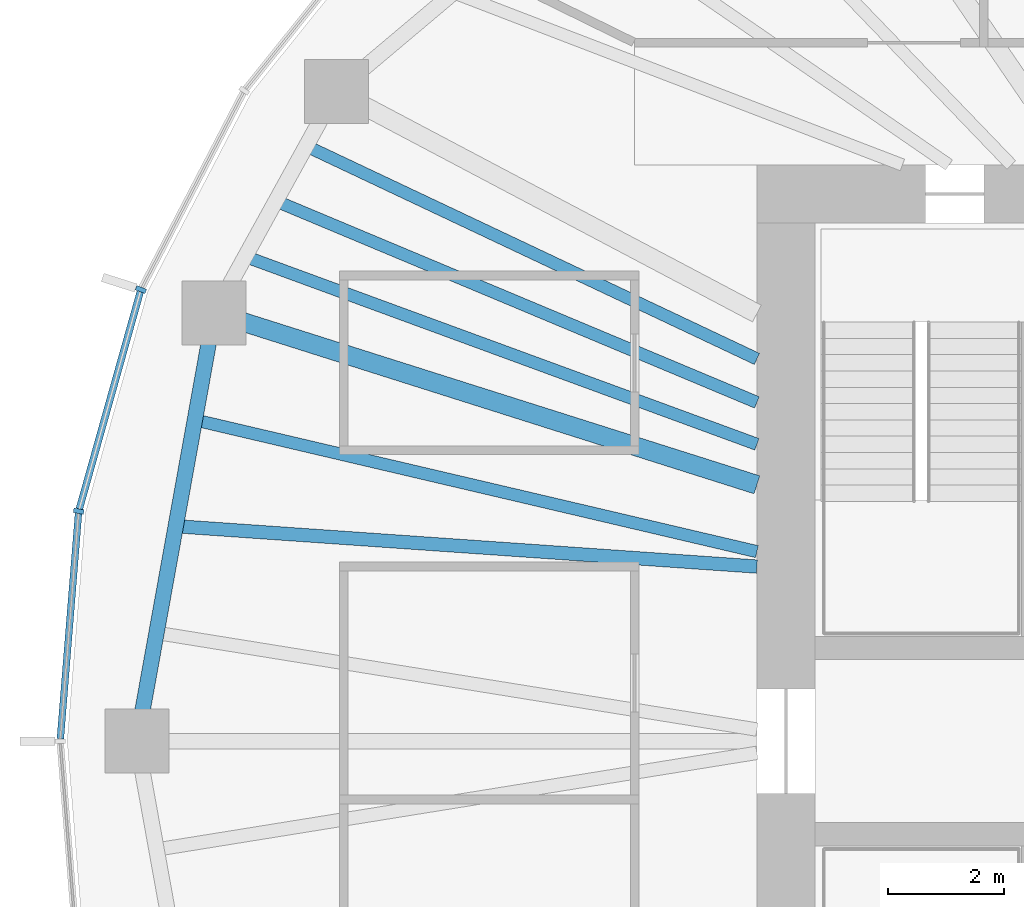
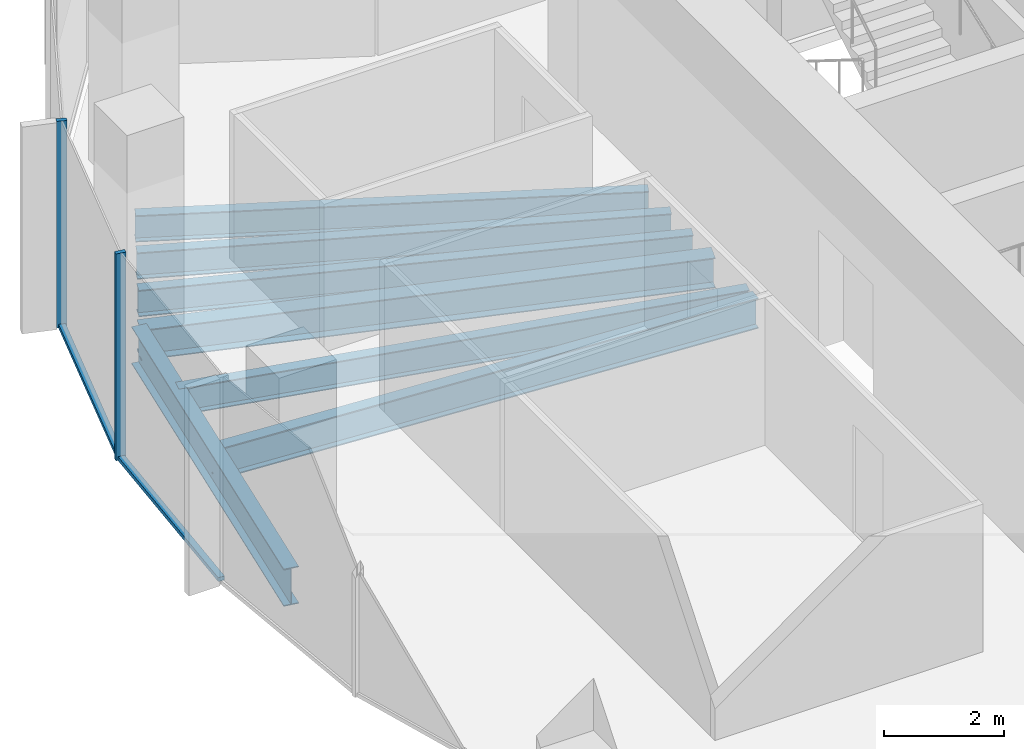
# One storey, part 3 of 11: 7 beams, 4 members, 1 element without a shape of its own.
"""IFC4 building model written with IfcOpenShell, lengths in metres."""

from ifc_helpers import new_model, si_unit, direction, frame, origin, origin_2d, place, context, subcontext, project, spatial, rectangle, i_section, extrude, material, material_profile, profile_set, type_object, element, aggregate, save


model = new_model("IFC4")

# Units and contexts
model_context = context("Model", 3, precision=1e-05, world=origin(), true_north=direction((0.0, 1.0)))
body_context = subcontext(model_context, "Body", "Model", "MODEL_VIEW")
ifc_project = project(units=[si_unit("LENGTHUNIT", "METRE"), si_unit("AREAUNIT", "SQUARE_METRE"), si_unit("VOLUMEUNIT", "CUBIC_METRE"), si_unit("PLANEANGLEUNIT", "RADIAN"), si_unit("MASSUNIT", "GRAM", prefix="KILO")], contexts=[model_context])

# Site, building, storey
site_placement = place(None, origin())
site = spatial("IfcSite", under=ifc_project, at=site_placement, CompositionType="ELEMENT")
building_placement = place(site_placement, origin())
building = spatial("IfcBuilding", under=site, at=building_placement, Name="Ghaith Harvest Tower", CompositionType="ELEMENT")
storey_placement = place(building_placement, frame((0.0, 0.0, 283.800048828125)))
storey = spatial("IfcBuildingStorey", under=building, at=storey_placement, Name="L63", CompositionType="ELEMENT", Elevation=283.800048828125)

# Curtain wall, members
ifc_material_1 = material(Name="Black anodised aluminium and fritted glass", Category="aluminium")
curtain_wall_type = type_object("IfcCurtainWallType", Name="CW-T CURTAIN WALL", PredefinedType="NOTDEFINED", material=ifc_material_1)
curtain_wall_placement = place(storey_placement, origin())
curtain_wall = element("IfcCurtainWall", 1, at=curtain_wall_placement, inside=storey, type_object=curtain_wall_type, Name="Curtain wall CW-T bay 10 L63", PredefinedType="NOTDEFINED")
ifc_material_2 = material(Name="Aluminium, black anodised", Category="aluminium")
ifc_material_profile_1 = material_profile(ifc_material_2, rectangle(XDim=0.080078125, YDim=0.179931640625, at=origin_2d()), Name="CW-T MULLION 80x180")
ifc_profile_set_1 = profile_set([ifc_material_profile_1], Name="Aluminium, black anodised")
member_type_1 = type_object("IfcMemberType", Name="CW-T MULLION 80x180", PredefinedType="MULLION", material=ifc_profile_set_1)
member_1_placement = place(storey_placement, frame((-24.482666015625, 7.759033203125, 0.0), z_axis=(0.0, 0.0, 1.0), x_axis=(-0.366473104961, -0.930428644948, 0.0)))
member_1 = element("IfcMember", 2, at=member_1_placement, type_object=member_type_1, Name="CW-T mullion 1 bay 10 L63", PredefinedType="MULLION", context=body_context, shape_type="SweptSolid", body=[
    extrude(rectangle(XDim=0.080078125, YDim=0.179931640625, at=origin_2d()), origin(), (0.0, 0.0, 1.0), 4.199951171875),
])
member_2_placement = place(storey_placement, frame((-25.5517578125, 3.9521484375, 0.0), z_axis=(0.0, 0.0, 1.0), x_axis=(-0.176001390642, -0.984389917915, 0.0)))
member_2 = element("IfcMember", 3, at=member_2_placement, type_object=member_type_1, Name="CW-T mullion 2 bay 10 L63", PredefinedType="MULLION", context=body_context, shape_type="SweptSolid", body=[
    extrude(rectangle(XDim=0.080078125, YDim=0.179931640625, at=origin_2d()), origin(), (0.0, 0.0, 1.0), 4.199951171875),
])
ifc_material_3 = material(Name="Aluminium, black anodised", Category="aluminium")
ifc_material_profile_2 = material_profile(ifc_material_3, rectangle(XDim=0.1201171875, YDim=0.080078125, at=origin_2d()), Name="CW-T TRANSOM 120x80")
ifc_profile_set_2 = profile_set([ifc_material_profile_2], Name="Aluminium, black anodised")
member_type_2 = type_object("IfcMemberType", Name="CW-T TRANSOM 120x80", PredefinedType="USERDEFINED", material=ifc_profile_set_2)
member_3_placement = place(storey_placement, frame((-24.49365234375, 7.720458984375, 0.0400390625), z_axis=(-0.270340422972, -0.962764797709, 0.0), x_axis=(0.962764797709, -0.270340422972, 0.0)))
member_3 = element("IfcMember", 4, at=member_3_placement, type_object=member_type_2, Name="CW-T transom 1 bay 10 L63", ObjectType="TRANSOM", PredefinedType="USERDEFINED", context=body_context, shape_type="SweptSolid", body=[
    extrude(rectangle(XDim=0.1201171875, YDim=0.080078125, at=origin_2d()), origin(), (0.0, 0.0, 1.0), 3.874267578125),
])
member_4_placement = place(storey_placement, frame((-25.554931640625, 3.912109375, 0.0400390625), z_axis=(-0.08025226314, -0.996774585481, 0.0), x_axis=(0.996774585481, -0.08025226314, 0.0)))
member_4 = element("IfcMember", 5, at=member_4_placement, type_object=member_type_2, Name="CW-T transom 2 bay 10 L63", ObjectType="TRANSOM", PredefinedType="USERDEFINED", context=body_context, shape_type="SweptSolid", body=[
    extrude(rectangle(XDim=0.1201171875, YDim=0.080078125, at=origin_2d()), origin(), (0.0, 0.0, 1.0), 3.884765625),
])
aggregate(curtain_wall, [member_1, member_3, member_2, member_4])

# Beams
ifc_material_4 = material(Name="Steel ASTM A992 Grade 50", Category="steel")
ifc_material_profile_3 = material_profile(ifc_material_4, i_section(OverallWidth=0.26611328125, OverallDepth=0.758056640625, WebThickness=0.013916015625, FlangeThickness=0.019287109375, at=origin_2d()), Name="W760X161")
ifc_profile_set_3 = profile_set([ifc_material_profile_3], Name="Steel ASTM A992 Grade 50")
beam_type_1 = type_object("IfcBeamType", Name="E760-161 W760X161", PredefinedType="SPANDREL", material=ifc_profile_set_3)
beam_1_placement = place(storey_placement, frame((-23.22412109375, 7.360107421875, -0.549072265625), z_axis=(-0.177296554745, -0.984157473007, 0.0), x_axis=(0.984157473007, -0.177296554745, 0.0)))
element("IfcBeam", 6, at=beam_1_placement, inside=storey, type_object=beam_type_1, Name="Edge beam E10 L63", PredefinedType="SPANDREL", context=body_context, shape_type="SweptSolid", body=[
    extrude(i_section(OverallWidth=0.26611328125, OverallDepth=0.758056640625, WebThickness=0.013916015625, FlangeThickness=0.019287109375, at=origin_2d()), origin(), (0.0, 0.0, 1.0), 7.478515625),
])
ifc_material_5 = material(Name="Steel ASTM A992 Grade 50", Category="steel")
ifc_material_profile_4 = material_profile(ifc_material_5, i_section(OverallWidth=0.323974609375, OverallDepth=0.611083984375, WebThickness=0.0126953125, FlangeThickness=0.01904296875, at=origin_2d()), Name="W610X155")
ifc_profile_set_4 = profile_set([ifc_material_profile_4], Name="Steel ASTM A992 Grade 50")
beam_type_2 = type_object("IfcBeamType", Name="G610-155 W610X155", PredefinedType="BEAM", material=ifc_profile_set_4)
beam_2_placement = place(storey_placement, frame((-13.89990234375, 4.4052734375, -0.4755859375), z_axis=(-0.953278508772, 0.302092841215, 0.0), x_axis=(-0.302092841215, -0.953278508772, 0.0)))
element("IfcBeam", 7, at=beam_2_placement, inside=storey, type_object=beam_type_2, Name="Radial girder G10 L63", PredefinedType="BEAM", context=body_context, shape_type="SweptSolid", body=[
    extrude(i_section(OverallWidth=0.323974609375, OverallDepth=0.611083984375, WebThickness=0.0126953125, FlangeThickness=0.01904296875, at=origin_2d()), origin(), (0.0, 0.0, 1.0), 9.78125),
])
ifc_material_6 = material(Name="Steel ASTM A992 Grade 50", Category="steel")
ifc_material_profile_5 = material_profile(ifc_material_6, i_section(OverallWidth=0.2109375, OverallDepth=0.5390625, WebThickness=0.01171875, FlangeThickness=0.018798828125, at=origin_2d()), Name="W530X109")
ifc_profile_set_5 = profile_set([ifc_material_profile_5], Name="Steel ASTM A992 Grade 50")
beam_type_3 = type_object("IfcBeamType", Name="J530-109 W530X109", PredefinedType="JOIST", material=ifc_profile_set_5)
beam_3_placement = place(storey_placement, frame((-13.89990234375, 6.56787109375, -0.439453125), z_axis=(-0.904165769726, 0.427181765594, 0.0), x_axis=(-0.427181765594, -0.904165769726, 0.0)))
element("IfcBeam", 8, at=beam_3_placement, inside=storey, type_object=beam_type_3, Name="Joist J09.1 L63", PredefinedType="JOIST", context=body_context, shape_type="SweptSolid", body=[
    extrude(i_section(OverallWidth=0.2109375, OverallDepth=0.5390625, WebThickness=0.01171875, FlangeThickness=0.018798828125, at=origin_2d()), origin(), (0.0, 0.0, 1.0), 8.564208984375),
])
beam_4_placement = place(storey_placement, frame((-13.89990234375, 5.82080078125, -0.439453125), z_axis=(-0.922394258818, 0.38624970071, 0.0), x_axis=(-0.38624970071, -0.922394258818, 0.0)))
element("IfcBeam", 9, at=beam_4_placement, inside=storey, type_object=beam_type_3, Name="Joist J09.2 L63", PredefinedType="JOIST", context=body_context, shape_type="SweptSolid", body=[
    extrude(i_section(OverallWidth=0.2109375, OverallDepth=0.5390625, WebThickness=0.01171875, FlangeThickness=0.018798828125, at=origin_2d()), origin(), (0.0, 0.0, 1.0), 8.959716796875),
])
beam_5_placement = place(storey_placement, frame((-13.89990234375, 5.101318359375, -0.439453125), z_axis=(-0.938776837502, 0.34452583266, 0.0), x_axis=(-0.34452583266, -0.938776837502, 0.0)))
element("IfcBeam", 10, at=beam_5_placement, inside=storey, type_object=beam_type_3, Name="Joist J09.3 L63", PredefinedType="JOIST", context=body_context, shape_type="SweptSolid", body=[
    extrude(i_section(OverallWidth=0.2109375, OverallDepth=0.5390625, WebThickness=0.01171875, FlangeThickness=0.018798828125, at=origin_2d()), origin(), (0.0, 0.0, 1.0), 9.36376953125),
])
beam_6_placement = place(storey_placement, frame((-13.89990234375, 3.257080078125, -0.439453125), z_axis=(-0.973623403271, 0.228161058472, 0.0), x_axis=(-0.228161058472, -0.973623403271, 0.0)))
element("IfcBeam", 11, at=beam_6_placement, inside=storey, type_object=beam_type_3, Name="Joist J10.1 L63", PredefinedType="JOIST", context=body_context, shape_type="SweptSolid", body=[
    extrude(i_section(OverallWidth=0.2109375, OverallDepth=0.5390625, WebThickness=0.01171875, FlangeThickness=0.018798828125, at=origin_2d()), origin(), (0.0, 0.0, 1.0), 9.9169921875),
])
ifc_material_7 = material(Name="Steel ASTM A992 Grade 50", Category="steel")
ifc_material_profile_6 = material_profile(ifc_material_7, i_section(OverallWidth=0.22998046875, OverallDepth=0.616943359375, WebThickness=0.01318359375, FlangeThickness=0.022216796875, at=origin_2d()), Name="W610X140")
ifc_profile_set_6 = profile_set([ifc_material_profile_6], Name="Steel ASTM A992 Grade 50")
beam_type_4 = type_object("IfcBeamType", Name="J610-140 W610X140", PredefinedType="JOIST", material=ifc_profile_set_6)
beam_7_placement = place(storey_placement, frame((-13.89990234375, 3.0, -0.478515625), z_axis=(-0.997592478057, 0.069348739886, 0.0), x_axis=(-0.069348739886, -0.997592478057, 0.0)))
element("IfcBeam", 12, at=beam_7_placement, inside=storey, type_object=beam_type_4, Name="Joist J10.2 L63", PredefinedType="JOIST", context=body_context, shape_type="SweptSolid", body=[
    extrude(i_section(OverallWidth=0.22998046875, OverallDepth=0.616943359375, WebThickness=0.01318359375, FlangeThickness=0.022216796875, at=origin_2d()), origin(), (0.0, 0.0, 1.0), 10.0087890625),
])

save(model, "model.ifc")
